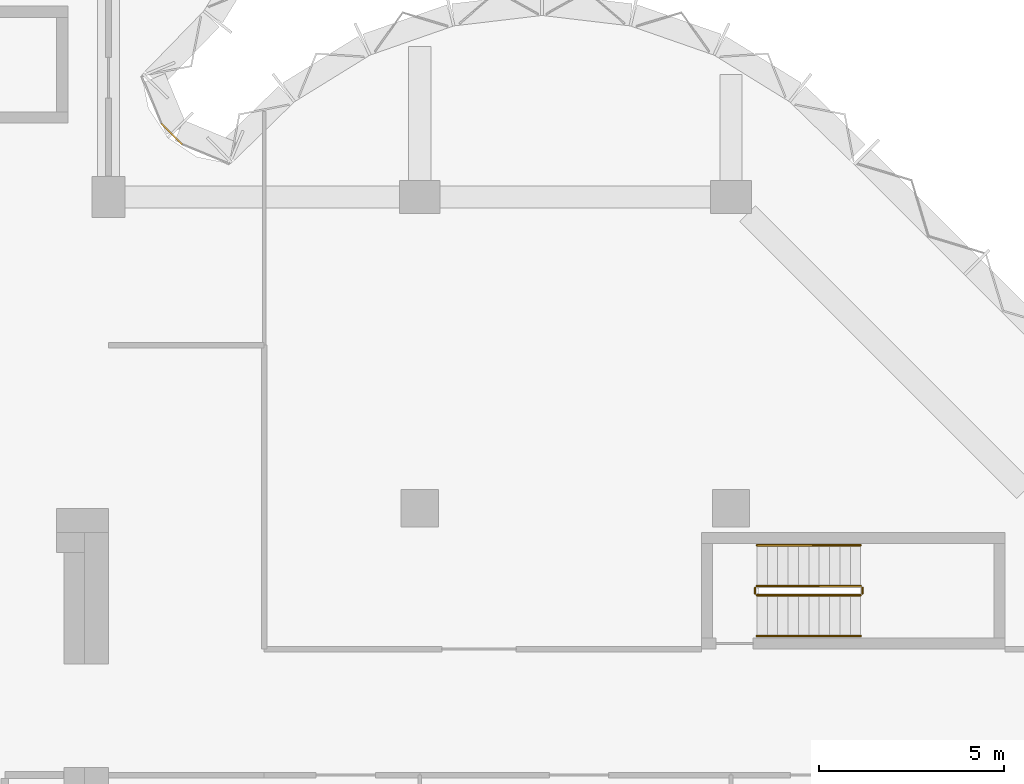
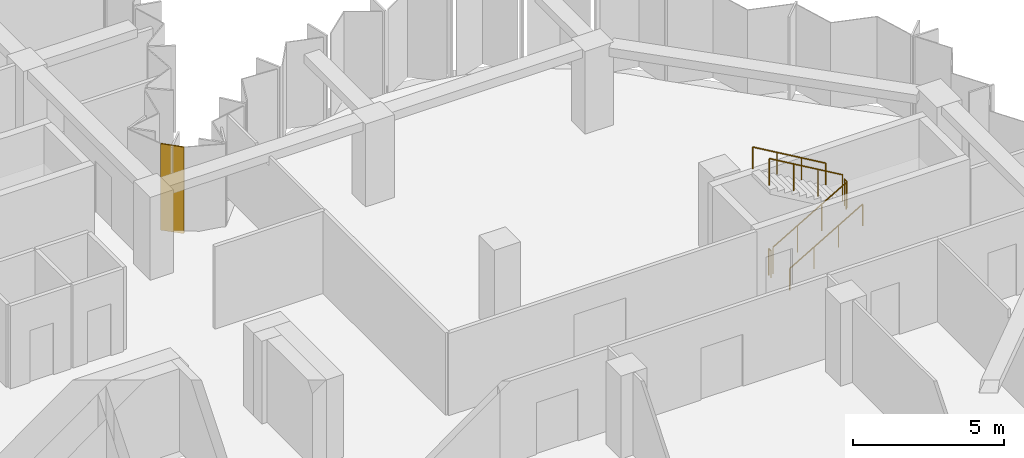
# One storey, part 9 of 9: 6 railings, 1 covering, 1 element without a shape of its own.
"""IFC4 building model written with IfcOpenShell, lengths in metres."""

from ifc_helpers import new_model, si_unit, direction, frame, origin, origin_2d, place, context, subcontext, project, spatial, polyline, circle, outline, extrude, material, layer, layer_set, type_object, element, aggregate, save


model = new_model("IFC4")

# Units and contexts
model_context = context("Model", 3, precision=1e-05, world=origin(), true_north=direction((0.0, 1.0)))
body_context = subcontext(model_context, "Body", "Model", "MODEL_VIEW")
ifc_project = project(units=[si_unit("LENGTHUNIT", "METRE"), si_unit("AREAUNIT", "SQUARE_METRE"), si_unit("VOLUMEUNIT", "CUBIC_METRE"), si_unit("PLANEANGLEUNIT", "RADIAN"), si_unit("MASSUNIT", "GRAM", prefix="KILO")], contexts=[model_context])

# Site, building, storey
site_placement = place(None, origin())
site = spatial("IfcSite", under=ifc_project, at=site_placement, CompositionType="ELEMENT")
building_placement = place(site_placement, origin())
building = spatial("IfcBuilding", under=site, at=building_placement, Name="Brevane Broadcast Tower", CompositionType="ELEMENT")
storey_placement = place(building_placement, frame((0.0, 0.0, 188.39990234375)))
storey = spatial("IfcBuildingStorey", under=building, at=storey_placement, Name="L47", CompositionType="ELEMENT", Elevation=188.39990234375)

# Railings
ifc_material_1 = material(Name="Steel S355", Category="steel")
railing_type_1 = type_object("IfcRailingType", Name="Exit stair guard", PredefinedType="GUARDRAIL", material=ifc_material_1)
railing_1_placement = place(storey_placement, frame((42.699951171875, 14.449951171875, 0.163818359375)))
element("IfcRailing", 1, at=railing_1_placement, inside=storey, type_object=railing_type_1, Name="L47 ST-4 stair guard 1", PredefinedType="GUARDRAIL", context=body_context, shape_type="SweptSolid", body=[
    extrude(circle(Radius=0.02392578125, at=origin_2d()), frame((0.0, 0.0, 1.076171875), z_axis=(0.863393664356, 0.0, 0.504530851732), x_axis=(0.0, 1.0, 0.0)), (0.0, 0.0, 1.0), 3.2431640625),
    extrude(circle(Radius=0.02099609375, at=origin_2d()), origin(), (0.0, 0.0, 1.0), 1.052001953125),
    extrude(circle(Radius=0.02099609375, at=origin_2d()), frame((0.933349609375, 0.0, 0.54541015625)), (0.0, 0.0, 1.0), 1.052001953125),
    extrude(circle(Radius=0.02099609375, at=origin_2d()), frame((1.86669921875, 0.0, 1.0908203125)), (0.0, 0.0, 1.0), 1.052001953125),
    extrude(circle(Radius=0.02099609375, at=origin_2d()), frame((2.800048828125, 0.0, 1.63623046875)), (0.0, 0.0, 1.0), 1.052001953125),
])
railing_2_placement = place(storey_placement, frame((45.550048828125, 14.5, 1.800048828125)))
element("IfcRailing", 2, at=railing_2_placement, inside=storey, type_object=railing_type_1, Name="L47 ST-4 stair guard 2", PredefinedType="GUARDRAIL", context=body_context, shape_type="SweptSolid", body=[
    extrude(circle(Radius=0.02392578125, at=origin_2d()), frame((0.0, 0.0, 1.076171875), z_axis=(0.0, 1.0, 0.0), x_axis=(-1.0, 0.0, 0.0)), (0.0, 0.0, 1.0), 0.14990234375),
    extrude(circle(Radius=0.02099609375, at=origin_2d()), origin(), (0.0, 0.0, 1.0), 1.052001953125),
    extrude(circle(Radius=0.02099609375, at=origin_2d()), frame((0.0, 0.14990234375, 0.0)), (0.0, 0.0, 1.0), 1.052001953125),
])
railing_3_placement = place(storey_placement, frame((45.5, 14.699951171875, 1.963623046875)))
element("IfcRailing", 3, at=railing_3_placement, inside=storey, type_object=railing_type_1, Name="L47 ST-4 stair guard 3", PredefinedType="GUARDRAIL", context=body_context, shape_type="SweptSolid", body=[
    extrude(circle(Radius=0.02392578125, at=origin_2d()), frame((0.0, 0.0, 1.076171875), z_axis=(-0.863360870873, 0.0, 0.504586966384), x_axis=(0.0, -1.0, 0.0)), (0.0, 0.0, 1.0), 3.2431640625),
    extrude(circle(Radius=0.02099609375, at=origin_2d()), origin(), (0.0, 0.0, 1.0), 1.052001953125),
    extrude(circle(Radius=0.02099609375, at=origin_2d()), frame((-0.933349609375, 0.0, 0.54541015625)), (0.0, 0.0, 1.0), 1.052001953125),
    extrude(circle(Radius=0.02099609375, at=origin_2d()), frame((-1.86669921875, 0.0, 1.091064453125)), (0.0, 0.0, 1.0), 1.052001953125),
    extrude(circle(Radius=0.02099609375, at=origin_2d()), frame((-2.800048828125, 0.0, 1.636474609375)), (0.0, 0.0, 1.0), 1.052001953125),
])
railing_4_placement = place(storey_placement, frame((42.64990234375, 14.5, 0.0)))
element("IfcRailing", 4, at=railing_4_placement, inside=storey, type_object=railing_type_1, Name="L47 ST-4 stair guard 4", PredefinedType="GUARDRAIL", context=body_context, shape_type="SweptSolid", body=[
    extrude(circle(Radius=0.02392578125, at=origin_2d()), frame((0.0, 0.0, 1.076171875), z_axis=(0.0, 1.0, 0.0), x_axis=(-1.0, 0.0, 0.0)), (0.0, 0.0, 1.0), 0.14990234375),
    extrude(circle(Radius=0.02099609375, at=origin_2d()), origin(), (0.0, 0.0, 1.0), 1.052001953125),
    extrude(circle(Radius=0.02099609375, at=origin_2d()), frame((0.0, 0.14990234375, 0.0)), (0.0, 0.0, 1.0), 1.052001953125),
])
railing_type_2 = type_object("IfcRailingType", Name="Exit stair handrail", PredefinedType="HANDRAIL", material=ifc_material_1)
railing_5_placement = place(storey_placement, frame((42.699951171875, 13.35009765625, 0.163818359375)))
element("IfcRailing", 5, at=railing_5_placement, inside=storey, type_object=railing_type_2, Name="L47 ST-4 stair handrail 1", PredefinedType="HANDRAIL", context=body_context, shape_type="SweptSolid", body=[
    extrude(circle(Radius=0.02392578125, at=origin_2d()), frame((0.0, 0.0, 0.8759765625), z_axis=(0.863393664356, 0.0, 0.504530851732), x_axis=(0.0, 1.0, 0.0)), (0.0, 0.0, 1.0), 3.2431640625),
    extrude(circle(Radius=0.02099609375, at=origin_2d()), origin(), (0.0, 0.0, 1.0), 0.851806640625),
    extrude(circle(Radius=0.02099609375, at=origin_2d()), frame((0.933349609375, 0.0, 0.54541015625)), (0.0, 0.0, 1.0), 0.851806640625),
    extrude(circle(Radius=0.02099609375, at=origin_2d()), frame((1.86669921875, 0.0, 1.0908203125)), (0.0, 0.0, 1.0), 0.851806640625),
    extrude(circle(Radius=0.02099609375, at=origin_2d()), frame((2.800048828125, 0.0, 1.63623046875)), (0.0, 0.0, 1.0), 0.851806640625),
])
railing_6_placement = place(storey_placement, frame((45.5, 15.800048828125, 1.963623046875)))
element("IfcRailing", 6, at=railing_6_placement, inside=storey, type_object=railing_type_2, Name="L47 ST-4 stair handrail 2", PredefinedType="HANDRAIL", context=body_context, shape_type="SweptSolid", body=[
    extrude(circle(Radius=0.02392578125, at=origin_2d()), frame((0.0, 0.0, 0.8759765625), z_axis=(-0.863360870873, 0.0, 0.504586966384), x_axis=(0.0, -1.0, 0.0)), (0.0, 0.0, 1.0), 3.2431640625),
    extrude(circle(Radius=0.02099609375, at=origin_2d()), origin(), (0.0, 0.0, 1.0), 0.851806640625),
    extrude(circle(Radius=0.02099609375, at=origin_2d()), frame((-0.933349609375, 0.0, 0.54541015625)), (0.0, 0.0, 1.0), 0.851806640625),
    extrude(circle(Radius=0.02099609375, at=origin_2d()), frame((-1.86669921875, 0.0, 1.091064453125)), (0.0, 0.0, 1.0), 0.851806640625),
    extrude(circle(Radius=0.02099609375, at=origin_2d()), frame((-2.800048828125, 0.0, 1.636474609375)), (0.0, 0.0, 1.0), 0.851806640625),
])

# Curtain wall, covering
ifc_material_2 = material(Name="Aluminium 6063-T6 bronze anodised", Category="aluminium")
curtain_wall_type = type_object("IfcCurtainWallType", Name="CW-1 curtain wall", PredefinedType="NOTDEFINED", material=ifc_material_2)
curtain_wall_placement = place(storey_placement, origin())
curtain_wall = element("IfcCurtainWall", 7, at=curtain_wall_placement, inside=storey, type_object=curtain_wall_type, Name="CW-1 typical tilted unit L47 inner corner", PredefinedType="NOTDEFINED")
ifc_material_3 = material(Name="Back-painted bronze glass shadow-box", Category="glass")
ifc_layer = layer(ifc_material_3, 0.0400390625)
ifc_layer_set = layer_set([ifc_layer], Name="Shadow-box panel 40")
covering_type = type_object("IfcCoveringType", Name="Shadow-box panel 40", PredefinedType="CLADDING", material=ifc_layer_set)
covering_placement = place(storey_placement, frame((0.0, 0.0, -0.14990234375)))
covering = element("IfcCovering", 8, at=covering_placement, type_object=covering_type, Name="Closure panel", PredefinedType="CLADDING", context=body_context, shape_type="SweptSolid", body=[
    extrude(outline(polyline([(27.17138671875, 26.60498046875), (27.2021484375, 26.635498046875), (26.635498046875, 27.2021484375), (26.60498046875, 27.17138671875), (27.17138671875, 26.60498046875)])), origin(), (0.0, 0.0, 1.0), 3.5),
])
aggregate(curtain_wall, [covering])

save(model, "model.ifc")
